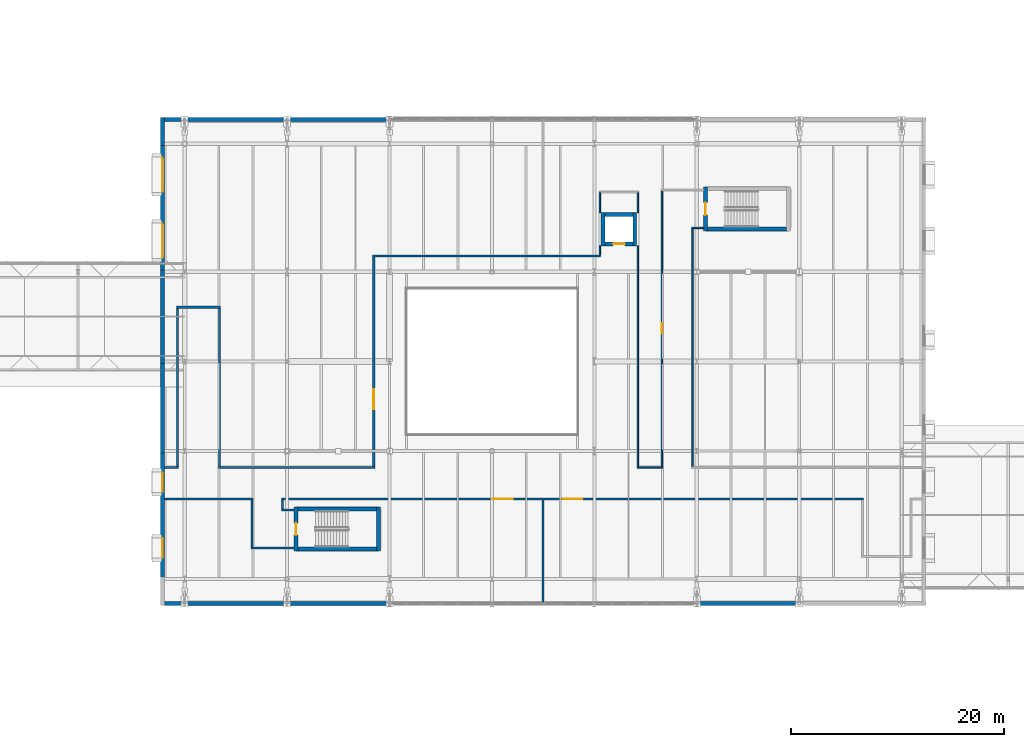
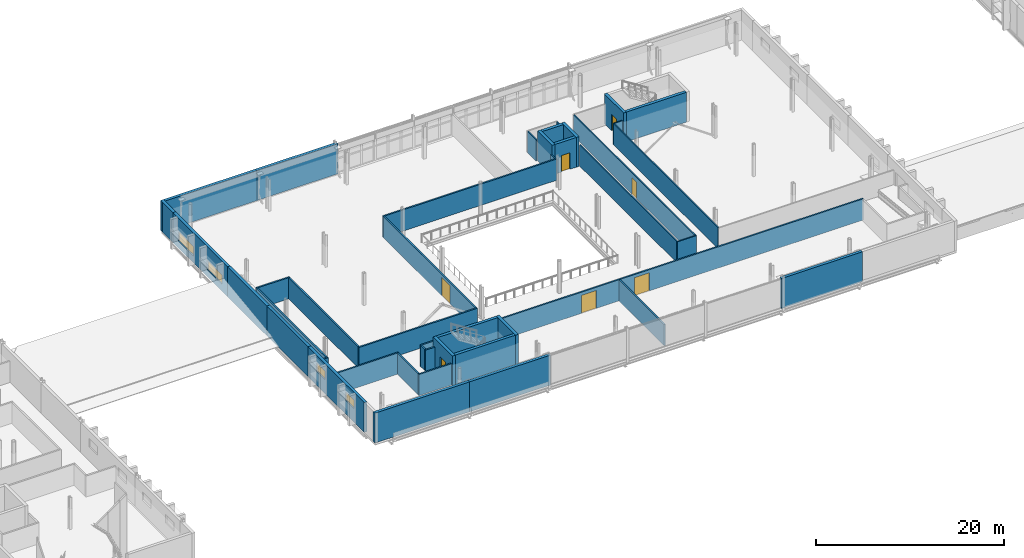
# One storey, part 63 of 90: 42 walls, 7 doors, 4 windows, 11 openings.
"""IFC4 building model written with IfcOpenShell, lengths in metres."""

from ifc_helpers import new_model, si_unit, direction, frame, frame_2d, origin, place, context, subcontext, project, spatial, rectangle, extrude, material, layer, layer_set, type_object, element, fill, save


model = new_model("IFC4")

# Units and contexts
model_context = context("Model", 3, precision=1e-05, world=origin(), true_north=direction((0.0, 1.0)))
body_context = subcontext(model_context, "Body", "Model", "MODEL_VIEW")
ifc_project = project(units=[si_unit("LENGTHUNIT", "METRE"), si_unit("AREAUNIT", "SQUARE_METRE"), si_unit("VOLUMEUNIT", "CUBIC_METRE"), si_unit("PLANEANGLEUNIT", "RADIAN"), si_unit("MASSUNIT", "GRAM", prefix="KILO")], contexts=[model_context])

# Site, building, storey
site_placement = place(None, origin())
site = spatial("IfcSite", under=ifc_project, at=site_placement, CompositionType="ELEMENT")
building_placement = place(site_placement, origin())
building = spatial("IfcBuilding", under=site, at=building_placement, Name="Zereglee Splitstone Museum", CompositionType="ELEMENT")
storey_placement = place(building_placement, frame((0.0, 0.0, 4.800048828125)))
storey = spatial("IfcBuildingStorey", under=building, at=storey_placement, Name="L01", CompositionType="ELEMENT", Elevation=4.800048828125)

# Wall, opening, door
ifc_material_1 = material(Name="Concrete C45/55", Category="concrete")
ifc_layer_1 = layer(ifc_material_1, 0.360107421875)
ifc_layer_set_1 = layer_set([ifc_layer_1], Name="Concrete C45/55")
wall_type_1 = type_object("IfcWallType", Name="CSW-02", PredefinedType="SHEAR", material=ifc_layer_set_1)
wall_1_placement = place(storey_placement, frame((126.820068359375, 42.239990234375, 0.0), z_axis=(0.0, 0.0, 1.0), x_axis=(0.0, 1.0, 0.0)))
wall_1 = element("IfcWall", 1, at=wall_1_placement, inside=storey, type_object=wall_type_1, Name="Stair Core Shear Wall ST-03 L01 West", PredefinedType="SHEAR", context=body_context, shape_type="SweptSolid", body=[
    extrude(rectangle(XDim=4.1201171875, YDim=0.360107421875, at=frame_2d((2.06005859375, 0.0))), origin(), (0.0, 0.0, 1.0), 3.8798828125),
])
opening_1_placement = place(wall_1_placement, frame((1.485107421875, 0.0, 0.0)))
opening_1 = element("IfcOpeningElement", 2, at=opening_1_placement, cuts=wall_1, Name="Opening ID-03", PredefinedType="OPENING", context=body_context, shape_type="SweptSolid", body=[
    extrude(rectangle(XDim=1.14990234375, YDim=2.14990234375, at=frame_2d((0.574951171875, 1.074951171875))), frame((0.0, 0.19482421875, 0.0), z_axis=(0.0, -1.0, 0.0), x_axis=(1.0, 0.0, 0.0)), (0.0, 0.0, 1.0), 0.389892578125),
])
ifc_material_2 = material(Name="Fire-rated steel and Siberian larch leaf", Category="steel")
door_type_1 = type_object("IfcDoorType", Name="ID-03", OperationType="NOTDEFINED", PredefinedType="DOOR", material=ifc_material_2)
door_1_placement = place(opening_1_placement, origin())
door_1 = element("IfcDoor", 3, at=door_1_placement, inside=storey, type_object=door_type_1, Name="Protected Stair Fire Door ST-03 L01", OperationType="SINGLE_SWING_LEFT", OverallHeight=2.14990234375, OverallWidth=1.14990234375, PredefinedType="DOOR", context=body_context, shape_type="SweptSolid", body=[
    extrude(rectangle(XDim=1.14990234375, YDim=2.14990234375, at=frame_2d((0.574951171875, 1.074951171875))), frame((0.0, 0.02490234375, 0.0), z_axis=(0.0, -1.0, 0.0), x_axis=(1.0, 0.0, 0.0)), (0.0, 0.0, 1.0), 0.050048828125),
])
fill(opening_1, door_1)

# Wall
wall_2_placement = place(storey_placement, frame((127.0, 42.419921875, 0.0), z_axis=(0.0, 0.0, 1.0), x_axis=(1.0, 0.0, 0.0)))
element("IfcWall", 4, at=wall_2_placement, inside=storey, type_object=wall_type_1, Name="Stair Core Shear Wall ST-03 L01 South", PredefinedType="SHEAR", context=body_context, shape_type="SweptSolid", body=[
    extrude(rectangle(XDim=7.39990234375, YDim=0.360107421875, at=frame_2d((3.699951171875, 0.0))), origin(), (0.0, 0.0, 1.0), 3.8798828125),
])

# Wall, opening, door
wall_3_placement = place(storey_placement, frame((88.419921875, 12.239990234375, 0.0), z_axis=(0.0, 0.0, 1.0), x_axis=(0.0, 1.0, 0.0)))
wall_3 = element("IfcWall", 5, at=wall_3_placement, inside=storey, type_object=wall_type_1, Name="Stair Core Shear Wall ST-06 L01 West", PredefinedType="SHEAR", context=body_context, shape_type="SweptSolid", body=[
    extrude(rectangle(XDim=4.1201171875, YDim=0.360107421875, at=frame_2d((2.06005859375, 0.0))), origin(), (0.0, 0.0, 1.0), 3.8798828125),
])
opening_2_placement = place(wall_3_placement, frame((1.485107421875, 0.0, 0.0)))
opening_2 = element("IfcOpeningElement", 6, at=opening_2_placement, cuts=wall_3, Name="Opening ID-03", PredefinedType="OPENING", context=body_context, shape_type="SweptSolid", body=[
    extrude(rectangle(XDim=1.14990234375, YDim=2.14990234375, at=frame_2d((0.574951171875, 1.074951171875))), frame((0.0, 0.19482421875, 0.0), z_axis=(0.0, -1.0, 0.0), x_axis=(1.0, 0.0, 0.0)), (0.0, 0.0, 1.0), 0.389892578125),
])
door_2_placement = place(opening_2_placement, origin())
door_2 = element("IfcDoor", 7, at=door_2_placement, inside=storey, type_object=door_type_1, Name="Protected Stair Fire Door ST-06 L01", OperationType="SINGLE_SWING_LEFT", OverallHeight=2.14990234375, OverallWidth=1.14990234375, PredefinedType="DOOR", context=body_context, shape_type="SweptSolid", body=[
    extrude(rectangle(XDim=1.14990234375, YDim=2.14990234375, at=frame_2d((0.574951171875, 1.074951171875))), frame((0.0, 0.02490234375, 0.0), z_axis=(0.0, -1.0, 0.0), x_axis=(1.0, 0.0, 0.0)), (0.0, 0.0, 1.0), 0.050048828125),
])
fill(opening_2, door_2)

# Walls
wall_4_placement = place(storey_placement, frame((96.179931640625, 12.239990234375, 0.0), z_axis=(0.0, 0.0, 1.0), x_axis=(0.0, 1.0, 0.0)))
element("IfcWall", 8, at=wall_4_placement, inside=storey, type_object=wall_type_1, Name="Stair Core Shear Wall ST-06 L01 East", PredefinedType="SHEAR", context=body_context, shape_type="SweptSolid", body=[
    extrude(rectangle(XDim=4.1201171875, YDim=0.360107421875, at=frame_2d((2.06005859375, 0.0))), origin(), (0.0, 0.0, 1.0), 3.8798828125),
])
for number, where, z_axis, x_axis, name in (
    (9, (88.60009765625, 16.179931640625, 0.0), (0.0, 0.0, 1.0), (1.0, 0.0, 0.0), "Stair Core Shear Wall ST-06 L01 North"),
    (10, (88.60009765625, 12.419921875, 0.0), (0.0, 0.0, 1.0), (1.0, 0.0, 0.0), "Stair Core Shear Wall ST-06 L01 South"),
):
    element("IfcWall", number, at=place(storey_placement, frame(where, z_axis=z_axis, x_axis=x_axis)), inside=storey, type_object=wall_type_1, Name=name, PredefinedType="SHEAR", context=body_context, shape_type="SweptSolid", body=[
        extrude(rectangle(XDim=7.39990234375, YDim=0.360107421875, at=frame_2d((3.699951171875, 0.0))), origin(), (0.0, 0.0, 1.0), 3.8798828125),
    ])
wall_5_placement = place(storey_placement, frame((117.39990234375, 43.780029296875, 0.0), z_axis=(0.0, 0.0, 1.0), x_axis=(1.0, 0.0, 0.0)))
element("IfcWall", 11, at=wall_5_placement, inside=storey, type_object=wall_type_1, Name="Lift Shaft Wall PL-02 L01 North", PredefinedType="SHEAR", context=body_context, shape_type="SweptSolid", body=[
    extrude(rectangle(XDim=2.60009765625, YDim=0.360107421875, at=frame_2d((1.300048828125, 0.0))), origin(), (0.0, 0.0, 1.0), 3.8798828125),
])

# Wall, opening, door
wall_6_placement = place(storey_placement, frame((117.39990234375, 41.02001953125, 0.0), z_axis=(0.0, 0.0, 1.0), x_axis=(1.0, 0.0, 0.0)))
wall_6 = element("IfcWall", 12, at=wall_6_placement, inside=storey, type_object=wall_type_1, Name="Lift Shaft Wall PL-02 L01 South", PredefinedType="SHEAR", context=body_context, shape_type="SweptSolid", body=[
    extrude(rectangle(XDim=2.60009765625, YDim=0.360107421875, at=frame_2d((1.300048828125, 0.0))), origin(), (0.0, 0.0, 1.0), 3.8798828125),
])
opening_3_placement = place(wall_6_placement, frame((0.75, 0.0, 0.0)))
opening_3 = element("IfcOpeningElement", 13, at=opening_3_placement, cuts=wall_6, Name="Opening LD-01", PredefinedType="OPENING", context=body_context, shape_type="SweptSolid", body=[
    extrude(rectangle(XDim=1.10009765625, YDim=2.14990234375, at=frame_2d((0.550048828125, 1.074951171875))), frame((0.0, 0.19482421875, 0.0), z_axis=(0.0, -1.0, 0.0), x_axis=(1.0, 0.0, 0.0)), (0.0, 0.0, 1.0), 0.389892578125),
])
door_type_2 = type_object("IfcDoorType", Name="LD-01", OperationType="DOUBLE_DOOR_SLIDING", PredefinedType="DOOR", material=ifc_material_2)
door_3_placement = place(opening_3_placement, origin())
door_3 = element("IfcDoor", 14, at=door_3_placement, inside=storey, type_object=door_type_2, Name="Lift Landing Sliding Door PL-02 L01", OperationType="DOUBLE_DOOR_SLIDING", OverallHeight=2.14990234375, OverallWidth=1.10009765625, PredefinedType="DOOR", context=body_context, shape_type="SweptSolid", body=[
    extrude(rectangle(XDim=1.10009765625, YDim=2.14990234375, at=frame_2d((0.550048828125, 1.074951171875))), frame((0.0, 0.02490234375, 0.0), z_axis=(0.0, -1.0, 0.0), x_axis=(1.0, 0.0, 0.0)), (0.0, 0.0, 1.0), 0.050048828125),
])
fill(opening_3, door_3)

# Walls
for number, where, z_axis, x_axis, name in (
    (15, (117.219970703125, 40.840087890625, 0.0), (0.0, 0.0, 1.0), (0.0, 1.0, 0.0), "Lift Shaft Wall PL-02 L01 West"),
    (16, (120.179931640625, 40.840087890625, 0.0), (0.0, 0.0, 1.0), (0.0, 1.0, 0.0), "Lift Shaft Wall PL-02 L01 East"),
):
    element("IfcWall", number, at=place(storey_placement, frame(where, z_axis=z_axis, x_axis=x_axis)), inside=storey, type_object=wall_type_1, Name=name, PredefinedType="SHEAR", context=body_context, shape_type="SweptSolid", body=[
        extrude(rectangle(XDim=3.119873046875, YDim=0.360107421875, at=frame_2d((1.56005859375, 0.0))), origin(), (0.0, 0.0, 1.0), 3.8798828125),
    ])
ifc_material_3 = material(Name="Precast concrete C40/50", Category="concrete")
ifc_layer_2 = layer(ifc_material_3, 0.35009765625)
ifc_layer_set_2 = layer_set([ifc_layer_2], Name="Precast concrete C40/50")
wall_type_2 = type_object("IfcWallType", Name="EW-01", PredefinedType="STANDARD", material=ifc_layer_set_2)
wall_7_placement = place(storey_placement, frame((97.3798828125, 52.679931640625, 0.0), z_axis=(0.0, 0.0, 1.0), x_axis=(-1.0, 0.0, 0.0)))
element("IfcWall", 17, at=wall_7_placement, inside=storey, type_object=wall_type_2, Name="Exterior Backup Wall RC4-EW-L01-0068", PredefinedType="STANDARD", context=body_context, shape_type="SweptSolid", body=[
    extrude(rectangle(XDim=9.9599609375, YDim=0.35009765625, at=frame_2d((4.97998046875, 0.0))), origin(), (0.0, 0.0, 1.0), 3.89990234375),
])
wall_8_placement = place(storey_placement, frame((87.780029296875, 52.679931640625, 0.0), z_axis=(0.0, 0.0, 1.0), x_axis=(-1.0, 0.0, 0.0)))
element("IfcWall", 18, at=wall_8_placement, inside=storey, type_object=wall_type_2, Name="Exterior Backup Wall RC4-EW-L01-0069", PredefinedType="STANDARD", context=body_context, shape_type="SweptSolid", body=[
    extrude(rectangle(XDim=12.0400390625, YDim=0.35009765625, at=frame_2d((6.02001953125, 0.0))), origin(), (0.0, 0.0, 1.0), 3.89990234375),
])
wall_9_placement = place(storey_placement, frame((75.919921875, 52.860107421875, 0.0), z_axis=(0.0, 0.0, 1.0), x_axis=(0.0, -1.0, 0.0)))
element("IfcWall", 19, at=wall_9_placement, inside=storey, type_object=wall_type_2, Name="Exterior Backup Wall RC4-EW-L01-0070", PredefinedType="STANDARD", context=body_context, shape_type="SweptSolid", body=[
    extrude(rectangle(XDim=2.64013671875, YDim=0.35009765625, at=frame_2d((1.320068359375, 0.0))), origin(), (0.0, 0.0, 1.0), 3.89990234375),
])

# Wall, openings, windows
wall_10_placement = place(storey_placement, frame((75.919921875, 50.580078125, 0.0), z_axis=(0.0, 0.0, 1.0), x_axis=(0.0, -1.0, 0.0)))
wall_10 = element("IfcWall", 20, at=wall_10_placement, inside=storey, type_object=wall_type_2, Name="Exterior Backup Wall RC4-EW-L01-0071", PredefinedType="STANDARD", context=body_context, shape_type="SweptSolid", body=[
    extrude(rectangle(XDim=12.360107421875, YDim=0.35009765625, at=frame_2d((6.18017578125, 0.0))), origin(), (0.0, 0.0, 1.0), 3.89990234375),
])
opening_4_placement = place(wall_10_placement, frame((1.489990234375, 0.0, 0.89990234375)))
opening_4 = element("IfcOpeningElement", 21, at=opening_4_placement, cuts=wall_10, Name="Opening EW-W15", PredefinedType="OPENING", context=body_context, shape_type="SweptSolid", body=[
    extrude(rectangle(XDim=3.199951171875, YDim=1.199951171875, at=frame_2d((1.60009765625, 0.60009765625))), frame((0.0, 0.18994140625, 0.0), z_axis=(0.0, -1.0, 0.0), x_axis=(1.0, 0.0, 0.0)), (0.0, 0.0, 1.0), 0.3798828125),
])
opening_5_placement = place(wall_10_placement, frame((7.669921875, 0.0, 0.89990234375)))
opening_5 = element("IfcOpeningElement", 22, at=opening_5_placement, cuts=wall_10, Name="Opening EW-W15", PredefinedType="OPENING", context=body_context, shape_type="SweptSolid", body=[
    extrude(rectangle(XDim=3.199951171875, YDim=1.199951171875, at=frame_2d((1.60009765625, 0.60009765625))), frame((0.0, 0.18994140625, 0.0), z_axis=(0.0, -1.0, 0.0), x_axis=(1.0, 0.0, 0.0)), (0.0, 0.0, 1.0), 0.3798828125),
])
ifc_material_4 = material(Name="Thermally broken aluminium frame with triple low-e glazing", Category="aluminium")
window_type_1 = type_object("IfcWindowType", Name="EW-W15", PartitioningType="TRIPLE_PANEL_VERTICAL", PredefinedType="WINDOW", material=ifc_material_4)
window_1_placement = place(opening_4_placement, origin())
window_1 = element("IfcWindow", 23, at=window_1_placement, inside=storey, type_object=window_type_1, Name="Mughal Deep-Reveal Gallery Window L01-0032", OverallHeight=1.199951171875, OverallWidth=3.199951171875, PartitioningType="SINGLE_PANEL", PredefinedType="WINDOW", context=body_context, shape_type="SweptSolid", body=[
    extrude(rectangle(XDim=3.199951171875, YDim=1.199951171875, at=frame_2d((1.60009765625, 0.60009765625))), frame((0.0, 0.030029296875, 0.0), z_axis=(0.0, -1.0, 0.0), x_axis=(1.0, 0.0, 0.0)), (0.0, 0.0, 1.0), 0.06005859375),
])
fill(opening_4, window_1)
window_2_placement = place(opening_5_placement, origin())
window_2 = element("IfcWindow", 24, at=window_2_placement, inside=storey, type_object=window_type_1, Name="Mughal Deep-Reveal Gallery Window L01-0033", OverallHeight=1.199951171875, OverallWidth=3.199951171875, PartitioningType="SINGLE_PANEL", PredefinedType="WINDOW", context=body_context, shape_type="SweptSolid", body=[
    extrude(rectangle(XDim=3.199951171875, YDim=1.199951171875, at=frame_2d((1.60009765625, 0.60009765625))), frame((0.0, 0.030029296875, 0.0), z_axis=(0.0, -1.0, 0.0), x_axis=(1.0, 0.0, 0.0)), (0.0, 0.0, 1.0), 0.06005859375),
])
fill(opening_5, window_2)

# Walls
for number, where, z_axis, x_axis, name in (
    (25, (75.919921875, 38.580078125, 0.0), (0.0, 0.0, 1.0), (0.0, -1.0, 0.0), "Exterior Backup Wall RC4-EW-L01-0072"),
    (26, (75.919921875, 30.179931640625, 0.0), (0.0, 0.0, 1.0), (0.0, -1.0, 0.0), "Exterior Backup Wall RC4-EW-L01-0073"),
):
    element("IfcWall", number, at=place(storey_placement, frame(where, z_axis=z_axis, x_axis=x_axis)), inside=storey, type_object=wall_type_2, Name=name, PredefinedType="STANDARD", context=body_context, shape_type="SweptSolid", body=[
        extrude(rectangle(XDim=8.760009765625, YDim=0.35009765625, at=frame_2d((4.3798828125, 0.0))), origin(), (0.0, 0.0, 1.0), 3.89990234375),
    ])

# Wall, openings, windows
wall_11_placement = place(storey_placement, frame((75.919921875, 21.780029296875, 0.0), z_axis=(0.0, 0.0, 1.0), x_axis=(0.0, -1.0, 0.0)))
wall_11 = element("IfcWall", 27, at=wall_11_placement, inside=storey, type_object=wall_type_2, Name="Exterior Backup Wall RC4-EW-L01-0074", PredefinedType="STANDARD", context=body_context, shape_type="SweptSolid", body=[
    extrude(rectangle(XDim=12.360107421875, YDim=0.35009765625, at=frame_2d((6.18017578125, 0.0))), origin(), (0.0, 0.0, 1.0), 3.89990234375),
])
opening_6_placement = place(wall_11_placement, frame((2.18994140625, 0.0, 1.800048828125)))
opening_6 = element("IfcOpeningElement", 28, at=opening_6_placement, cuts=wall_11, Name="Opening EW-W12", PredefinedType="OPENING", context=body_context, shape_type="SweptSolid", body=[
    extrude(rectangle(XDim=1.800048828125, YDim=1.10009765625, at=frame_2d((0.89990234375, 0.550048828125))), frame((0.0, 0.18994140625, 0.0), z_axis=(0.0, -1.0, 0.0), x_axis=(1.0, 0.0, 0.0)), (0.0, 0.0, 1.0), 0.3798828125),
])
opening_7_placement = place(wall_11_placement, frame((8.3701171875, 0.0, 1.800048828125)))
opening_7 = element("IfcOpeningElement", 29, at=opening_7_placement, cuts=wall_11, Name="Opening EW-W12", PredefinedType="OPENING", context=body_context, shape_type="SweptSolid", body=[
    extrude(rectangle(XDim=1.800048828125, YDim=1.10009765625, at=frame_2d((0.89990234375, 0.550048828125))), frame((0.0, 0.18994140625, 0.0), z_axis=(0.0, -1.0, 0.0), x_axis=(1.0, 0.0, 0.0)), (0.0, 0.0, 1.0), 0.3798828125),
])
window_type_2 = type_object("IfcWindowType", Name="EW-W12", PartitioningType="DOUBLE_PANEL_HORIZONTAL", PredefinedType="WINDOW", material=ifc_material_4)
window_3_placement = place(opening_6_placement, origin())
window_3 = element("IfcWindow", 30, at=window_3_placement, inside=storey, type_object=window_type_2, Name="Mughal Deep-Reveal Gallery Window L01-0034", OverallHeight=1.10009765625, OverallWidth=1.800048828125, PartitioningType="SINGLE_PANEL", PredefinedType="WINDOW", context=body_context, shape_type="SweptSolid", body=[
    extrude(rectangle(XDim=1.800048828125, YDim=1.10009765625, at=frame_2d((0.89990234375, 0.550048828125))), frame((0.0, 0.030029296875, 0.0), z_axis=(0.0, -1.0, 0.0), x_axis=(1.0, 0.0, 0.0)), (0.0, 0.0, 1.0), 0.06005859375),
])
fill(opening_6, window_3)
window_4_placement = place(opening_7_placement, origin())
window_4 = element("IfcWindow", 31, at=window_4_placement, inside=storey, type_object=window_type_2, Name="Mughal Deep-Reveal Gallery Window L01-0035", OverallHeight=1.10009765625, OverallWidth=1.800048828125, PartitioningType="SINGLE_PANEL", PredefinedType="WINDOW", context=body_context, shape_type="SweptSolid", body=[
    extrude(rectangle(XDim=1.800048828125, YDim=1.10009765625, at=frame_2d((0.89990234375, 0.550048828125))), frame((0.0, 0.030029296875, 0.0), z_axis=(0.0, -1.0, 0.0), x_axis=(1.0, 0.0, 0.0)), (0.0, 0.0, 1.0), 0.06005859375),
])
fill(opening_7, window_4)

# Walls
wall_12_placement = place(storey_placement, frame((75.739990234375, 7.320068359375, 0.0), z_axis=(0.0, 0.0, 1.0), x_axis=(1.0, 0.0, 0.0)))
element("IfcWall", 32, at=wall_12_placement, inside=storey, type_object=wall_type_2, Name="Exterior Backup Wall RC4-EW-L01-0076", PredefinedType="STANDARD", context=body_context, shape_type="SweptSolid", body=[
    extrude(rectangle(XDim=12.0400390625, YDim=0.35009765625, at=frame_2d((6.02001953125, 0.0))), origin(), (0.0, 0.0, 1.0), 3.89990234375),
])
for number, where, z_axis, x_axis, name in (
    (33, (87.419921875, 7.320068359375, 0.0), (0.0, 0.0, 1.0), (1.0, 0.0, 0.0), "Exterior Backup Wall RC4-EW-L01-0077"),
    (34, (125.820068359375, 7.320068359375, 0.0), (0.0, 0.0, 1.0), (1.0, 0.0, 0.0), "Exterior Backup Wall RC4-EW-L01-0078"),
):
    element("IfcWall", number, at=place(storey_placement, frame(where, z_axis=z_axis, x_axis=x_axis)), inside=storey, type_object=wall_type_2, Name=name, PredefinedType="STANDARD", context=body_context, shape_type="SweptSolid", body=[
        extrude(rectangle(XDim=9.9599609375, YDim=0.35009765625, at=frame_2d((4.97998046875, 0.0))), origin(), (0.0, 0.0, 1.0), 3.89990234375),
    ])
ifc_material_5 = material(Name="Fire-rated gypsum board partition", Category="masonry")
ifc_layer_3 = layer(ifc_material_5, 0.139892578125)
ifc_layer_set_3 = layer_set([ifc_layer_3], Name="Fire-rated gypsum board partition")
wall_type_3 = type_object("IfcWallType", Name="IW-05", PredefinedType="PARTITIONING", material=ifc_layer_set_3)
wall_13_placement = place(storey_placement, frame((120.409912109375, 20.080078125, 0.0), z_axis=(0.0, 0.0, 1.0), x_axis=(1.0, 0.0, 0.0)))
element("IfcWall", 35, at=wall_13_placement, inside=storey, type_object=wall_type_3, Name="Interior Partition L01-0354 (Research Reading Room)", PredefinedType="PARTITIONING", context=body_context, shape_type="SweptSolid", body=[
    extrude(rectangle(XDim=2.380126953125, YDim=0.139892578125, at=frame_2d((1.18994140625, 0.0))), origin(), (0.0, 0.0, 1.0), 2.760009765625),
])
wall_14_placement = place(storey_placement, frame((125.510009765625, 42.52001953125, 0.0), z_axis=(0.0, 0.0, 1.0), x_axis=(1.0, 0.0, 0.0)))
element("IfcWall", 36, at=wall_14_placement, inside=storey, type_object=wall_type_3, Name="Interior Partition L01-0382 (Research Reading Room)", PredefinedType="PARTITIONING", context=body_context, shape_type="SweptSolid", body=[
    extrude(rectangle(XDim=1.1298828125, YDim=0.139892578125, at=frame_2d((0.56494140625, 0.0))), origin(), (0.0, 0.0, 1.0), 2.760009765625),
])
wall_15_placement = place(storey_placement, frame((116.919921875, 39.97509765625, 0.0), z_axis=(0.0, 0.0, 1.0), x_axis=(0.0, 1.0, 0.0)))
element("IfcWall", 37, at=wall_15_placement, inside=storey, type_object=wall_type_3, Name="Interior Partition L01-0417 (Research Reading Room)", PredefinedType="PARTITIONING", context=body_context, shape_type="SweptSolid", body=[
    extrude(rectangle(XDim=0.864990234375, YDim=0.139892578125, at=frame_2d((0.4326171875, 0.0))), origin(), (0.0, 0.0, 1.0), 2.760009765625),
])
wall_16_placement = place(storey_placement, frame((116.919921875, 43.9599609375, 0.0), z_axis=(0.0, 0.0, 1.0), x_axis=(0.0, 1.0, 0.0)))
element("IfcWall", 38, at=wall_16_placement, inside=storey, type_object=wall_type_3, Name="Interior Partition L01-0418 (Research Reading Room)", PredefinedType="PARTITIONING", context=body_context, shape_type="SweptSolid", body=[
    extrude(rectangle(XDim=1.85009765625, YDim=0.139892578125, at=frame_2d((0.925048828125, 0.0))), origin(), (0.0, 0.0, 1.0), 2.760009765625),
])
wall_17_placement = place(storey_placement, frame((120.47998046875, 20.14990234375, 0.0), z_axis=(0.0, 0.0, 1.0), x_axis=(0.0, 1.0, 0.0)))
element("IfcWall", 39, at=wall_17_placement, inside=storey, type_object=wall_type_3, Name="Interior Partition L01-0419 (Research Reading Room)", PredefinedType="PARTITIONING", context=body_context, shape_type="SweptSolid", body=[
    extrude(rectangle(XDim=20.690185546875, YDim=0.139892578125, at=frame_2d((10.34521484375, 0.0))), origin(), (0.0, 0.0, 1.0), 2.760009765625),
])
wall_18_placement = place(storey_placement, frame((120.47998046875, 43.9599609375, 0.0), z_axis=(0.0, 0.0, 1.0), x_axis=(0.0, 1.0, 0.0)))
element("IfcWall", 40, at=wall_18_placement, inside=storey, type_object=wall_type_3, Name="Interior Partition L01-0420 (Research Reading Room)", PredefinedType="PARTITIONING", context=body_context, shape_type="SweptSolid", body=[
    extrude(rectangle(XDim=1.85009765625, YDim=0.139892578125, at=frame_2d((0.925048828125, 0.0))), origin(), (0.0, 0.0, 1.0), 2.760009765625),
])

# Wall, opening, door
wall_19_placement = place(storey_placement, frame((122.719970703125, 20.14990234375, 0.0), z_axis=(0.0, 0.0, 1.0), x_axis=(0.0, 1.0, 0.0)))
wall_19 = element("IfcWall", 41, at=wall_19_placement, inside=storey, type_object=wall_type_3, Name="Interior Partition L01-0421 (Research Reading Room)", PredefinedType="PARTITIONING", context=body_context, shape_type="SweptSolid", body=[
    extrude(rectangle(XDim=25.860107421875, YDim=0.139892578125, at=frame_2d((12.93017578125, 0.0))), origin(), (0.0, 0.0, 1.0), 2.760009765625),
])
opening_8_placement = place(wall_19_placement, frame((12.429931640625, 0.0, 0.0)))
opening_8 = element("IfcOpeningElement", 42, at=opening_8_placement, cuts=wall_19, Name="Opening ID-10", PredefinedType="OPENING", context=body_context, shape_type="SweptSolid", body=[
    extrude(rectangle(XDim=1.0, YDim=2.14990234375, at=frame_2d((0.5, 1.074951171875))), frame((0.0, 0.0849609375, 0.0), z_axis=(0.0, -1.0, 0.0), x_axis=(1.0, 0.0, 0.0)), (0.0, 0.0, 1.0), 0.169677734375),
])
ifc_material_6 = material(Name="Siberian larch acoustic timber leaf in bronze-steel frame", Category="steel")
door_type_3 = type_object("IfcDoorType", Name="ID-10", OperationType="NOTDEFINED", PredefinedType="DOOR", material=ifc_material_6)
door_4_placement = place(opening_8_placement, origin())
door_4 = element("IfcDoor", 43, at=door_4_placement, inside=storey, type_object=door_type_3, Name="Interior Door L01-0067 (Research Reading Room)", OperationType="SINGLE_SWING_RIGHT", OverallHeight=2.14990234375, OverallWidth=1.0, PredefinedType="DOOR", context=body_context, shape_type="SweptSolid", body=[
    extrude(rectangle(XDim=1.0, YDim=2.14990234375, at=frame_2d((0.5, 1.074951171875))), frame((0.0, 0.02490234375, 0.0), z_axis=(0.0, -1.0, 0.0), x_axis=(1.0, 0.0, 0.0)), (0.0, 0.0, 1.0), 0.050048828125),
])
fill(opening_8, door_4)

# Walls
wall_20_placement = place(storey_placement, frame((125.580078125, 20.14990234375, 0.0), z_axis=(0.0, 0.0, 1.0), x_axis=(0.0, 1.0, 0.0)))
element("IfcWall", 44, at=wall_20_placement, inside=storey, type_object=wall_type_3, Name="Interior Partition L01-0422 (Research Reading Room)", PredefinedType="PARTITIONING", context=body_context, shape_type="SweptSolid", body=[
    extrude(rectangle(XDim=22.300048828125, YDim=0.139892578125, at=frame_2d((11.14990234375, 0.0))), origin(), (0.0, 0.0, 1.0), 2.760009765625),
])
ifc_material_7 = material(Name="Gypsum board on acoustic steel stud", Category="steel")
ifc_layer_4 = layer(ifc_material_7, 0.18994140625)
ifc_layer_set_4 = layer_set([ifc_layer_4], Name="Gypsum board on acoustic steel stud")
wall_type_4 = type_object("IfcWallType", Name="IW-02", PredefinedType="PARTITIONING", material=ifc_layer_set_4)
wall_21_placement = place(storey_placement, frame((84.22509765625, 12.52001953125, 0.0), z_axis=(0.0, 0.0, 1.0), x_axis=(1.0, 0.0, 0.0)))
element("IfcWall", 45, at=wall_21_placement, inside=storey, type_object=wall_type_4, Name="Interior Partition L01-0335 (Gobi Mineralogy Gallery)", PredefinedType="PARTITIONING", context=body_context, shape_type="SweptSolid", body=[
    extrude(rectangle(XDim=4.014892578125, YDim=0.18994140625, at=frame_2d((2.00732421875, 0.0))), origin(), (0.0, 0.0, 1.0), 2.760009765625),
])
wall_22_placement = place(storey_placement, frame((87.0849609375, 16.080078125, 0.0), z_axis=(0.0, 0.0, 1.0), x_axis=(1.0, 0.0, 0.0)))
element("IfcWall", 46, at=wall_22_placement, inside=storey, type_object=wall_type_4, Name="Interior Partition L01-0341 (Gobi Mineralogy Gallery)", PredefinedType="PARTITIONING", context=body_context, shape_type="SweptSolid", body=[
    extrude(rectangle(XDim=1.155029296875, YDim=0.18994140625, at=frame_2d((0.57763671875, 0.0))), origin(), (0.0, 0.0, 1.0), 2.760009765625),
])
wall_23_placement = place(storey_placement, frame((76.094970703125, 17.1201171875, 0.0), z_axis=(0.0, 0.0, 1.0), x_axis=(1.0, 0.0, 0.0)))
element("IfcWall", 47, at=wall_23_placement, inside=storey, type_object=wall_type_4, Name="Interior Partition L01-0347 (Gobi Mineralogy Gallery)", PredefinedType="PARTITIONING", context=body_context, shape_type="SweptSolid", body=[
    extrude(rectangle(XDim=8.320068359375, YDim=0.18994140625, at=frame_2d((4.16015625, 0.0))), origin(), (0.0, 0.0, 1.0), 2.760009765625),
])

# Wall, openings, doors
wall_24_placement = place(storey_placement, frame((87.0849609375, 17.1201171875, 0.0), z_axis=(0.0, 0.0, 1.0), x_axis=(1.0, 0.0, 0.0)))
wall_24 = element("IfcWall", 48, at=wall_24_placement, inside=storey, type_object=wall_type_4, Name="Interior Partition L01-0348 (Gobi Mineralogy Gallery)", PredefinedType="PARTITIONING", context=body_context, shape_type="SweptSolid", body=[
    extrude(rectangle(XDim=54.530029296875, YDim=0.18994140625, at=frame_2d((27.26513671875, 0.0))), origin(), (0.0, 0.0, 1.0), 2.760009765625),
])
opening_9_placement = place(wall_24_placement, frame((19.79638671875, 0.0, 0.0)))
opening_9 = element("IfcOpeningElement", 49, at=opening_9_placement, cuts=wall_24, Name="Opening ID-02", PredefinedType="OPENING", context=body_context, shape_type="SweptSolid", body=[
    extrude(rectangle(XDim=1.85009765625, YDim=2.35009765625, at=frame_2d((0.925048828125, 1.175048828125))), frame((0.0, 0.10986328125, 0.0), z_axis=(0.0, -1.0, 0.0), x_axis=(1.0, 0.0, 0.0)), (0.0, 0.0, 1.0), 0.2197265625),
])
opening_10_placement = place(wall_24_placement, frame((26.340087890625, 0.0, 0.0)))
opening_10 = element("IfcOpeningElement", 50, at=opening_10_placement, cuts=wall_24, Name="Opening ID-02", PredefinedType="OPENING", context=body_context, shape_type="SweptSolid", body=[
    extrude(rectangle(XDim=1.85009765625, YDim=2.35009765625, at=frame_2d((0.925048828125, 1.175048828125))), frame((0.0, 0.10986328125, 0.0), z_axis=(0.0, -1.0, 0.0), x_axis=(1.0, 0.0, 0.0)), (0.0, 0.0, 1.0), 0.2197265625),
])
door_type_4 = type_object("IfcDoorType", Name="ID-02", OperationType="NOTDEFINED", PredefinedType="DOOR", material=ifc_material_2)
door_5_placement = place(opening_9_placement, frame((1.85009765625, 0.0, 0.0), z_axis=(0.0, 0.0, 1.0), x_axis=(-1.0, 0.0, 0.0)))
door_5 = element("IfcDoor", 51, at=door_5_placement, inside=storey, type_object=door_type_4, Name="Interior Door L01-0064 (Gobi Mineralogy Gallery)", OperationType="DOUBLE_DOOR_SINGLE_SWING", OverallHeight=2.35009765625, OverallWidth=1.85009765625, PredefinedType="DOOR", context=body_context, shape_type="SweptSolid", body=[
    extrude(rectangle(XDim=1.85009765625, YDim=2.35009765625, at=frame_2d((0.925048828125, 1.175048828125))), frame((0.0, 0.02490234375, 0.0), z_axis=(0.0, -1.0, 0.0), x_axis=(1.0, 0.0, 0.0)), (0.0, 0.0, 1.0), 0.050048828125),
])
fill(opening_9, door_5)
door_6_placement = place(opening_10_placement, frame((1.85009765625, 0.0, 0.0), z_axis=(0.0, 0.0, 1.0), x_axis=(-1.0, 0.0, 0.0)))
door_6 = element("IfcDoor", 52, at=door_6_placement, inside=storey, type_object=door_type_4, Name="Interior Door L01-0065 (Crystal and Gemology Exhibition Room)", OperationType="DOUBLE_DOOR_SINGLE_SWING", OverallHeight=2.35009765625, OverallWidth=1.85009765625, PredefinedType="DOOR", context=body_context, shape_type="SweptSolid", body=[
    extrude(rectangle(XDim=1.85009765625, YDim=2.35009765625, at=frame_2d((0.925048828125, 1.175048828125))), frame((0.0, 0.02490234375, 0.0), z_axis=(0.0, -1.0, 0.0), x_axis=(1.0, 0.0, 0.0)), (0.0, 0.0, 1.0), 0.050048828125),
])
fill(opening_10, door_6)

# Walls
wall_25_placement = place(storey_placement, frame((76.094970703125, 20.080078125, 0.0), z_axis=(0.0, 0.0, 1.0), x_axis=(1.0, 0.0, 0.0)))
element("IfcWall", 53, at=wall_25_placement, inside=storey, type_object=wall_type_4, Name="Interior Partition L01-0352 (Temporary Exhibition Gallery)", PredefinedType="PARTITIONING", context=body_context, shape_type="SweptSolid", body=[
    extrude(rectangle(XDim=1.320068359375, YDim=0.18994140625, at=frame_2d((0.66015625, 0.0))), origin(), (0.0, 0.0, 1.0), 2.760009765625),
])
wall_26_placement = place(storey_placement, frame((81.18505859375, 20.080078125, 0.0), z_axis=(0.0, 0.0, 1.0), x_axis=(1.0, 0.0, 0.0)))
element("IfcWall", 54, at=wall_26_placement, inside=storey, type_object=wall_type_4, Name="Interior Partition L01-0353 (Temporary Exhibition Gallery)", PredefinedType="PARTITIONING", context=body_context, shape_type="SweptSolid", body=[
    extrude(rectangle(XDim=14.6298828125, YDim=0.18994140625, at=frame_2d((7.31494140625, 0.0))), origin(), (0.0, 0.0, 1.0), 2.760009765625),
])
wall_27_placement = place(storey_placement, frame((77.22509765625, 35.080078125, 0.0), z_axis=(0.0, 0.0, 1.0), x_axis=(1.0, 0.0, 0.0)))
element("IfcWall", 55, at=wall_27_placement, inside=storey, type_object=wall_type_4, Name="Interior Partition L01-0375 (Temporary Exhibition Gallery)", PredefinedType="PARTITIONING", context=body_context, shape_type="SweptSolid", body=[
    extrude(rectangle(XDim=4.14990234375, YDim=0.18994140625, at=frame_2d((2.074951171875, 0.0))), origin(), (0.0, 0.0, 1.0), 2.760009765625),
])
wall_28_placement = place(storey_placement, frame((95.625, 39.8798828125, 0.0), z_axis=(0.0, 0.0, 1.0), x_axis=(1.0, 0.0, 0.0)))
element("IfcWall", 56, at=wall_28_placement, inside=storey, type_object=wall_type_4, Name="Interior Partition L01-0379 (Temporary Exhibition Gallery)", PredefinedType="PARTITIONING", context=body_context, shape_type="SweptSolid", body=[
    extrude(rectangle(XDim=21.364990234375, YDim=0.18994140625, at=frame_2d((10.6826171875, 0.0))), origin(), (0.0, 0.0, 1.0), 2.760009765625),
])
for number, where, z_axis, x_axis, name in (
    (57, (77.320068359375, 20.175048828125, 0.0), (0.0, 0.0, 1.0), (0.0, 1.0, 0.0), "Interior Partition L01-0410 (Temporary Exhibition Gallery)"),
    (58, (81.280029296875, 20.175048828125, 0.0), (0.0, 0.0, 1.0), (0.0, 1.0, 0.0), "Interior Partition L01-0411 (Temporary Exhibition Gallery)"),
):
    element("IfcWall", number, at=place(storey_placement, frame(where, z_axis=z_axis, x_axis=x_axis)), inside=storey, type_object=wall_type_4, Name=name, PredefinedType="PARTITIONING", context=body_context, shape_type="SweptSolid", body=[
        extrude(rectangle(XDim=14.81005859375, YDim=0.18994140625, at=frame_2d((7.405029296875, 0.0))), origin(), (0.0, 0.0, 1.0), 2.760009765625),
    ])
wall_29_placement = place(storey_placement, frame((84.320068359375, 12.614990234375, 0.0), z_axis=(0.0, 0.0, 1.0), x_axis=(0.0, 1.0, 0.0)))
element("IfcWall", 59, at=wall_29_placement, inside=storey, type_object=wall_type_4, Name="Interior Partition L01-0412 (Gobi Mineralogy Gallery)", PredefinedType="PARTITIONING", context=body_context, shape_type="SweptSolid", body=[
    extrude(rectangle(XDim=4.409912109375, YDim=0.18994140625, at=frame_2d((2.205078125, 0.0))), origin(), (0.0, 0.0, 1.0), 2.760009765625),
])
wall_30_placement = place(storey_placement, frame((87.179931640625, 16.175048828125, 0.0), z_axis=(0.0, 0.0, 1.0), x_axis=(0.0, 1.0, 0.0)))
element("IfcWall", 60, at=wall_30_placement, inside=storey, type_object=wall_type_4, Name="Interior Partition L01-0413 (Gobi Mineralogy Gallery)", PredefinedType="PARTITIONING", context=body_context, shape_type="SweptSolid", body=[
    extrude(rectangle(XDim=0.849853515625, YDim=0.18994140625, at=frame_2d((0.4248046875, 0.0))), origin(), (0.0, 0.0, 1.0), 2.760009765625),
])

# Wall, opening, door
wall_31_placement = place(storey_placement, frame((95.719970703125, 20.175048828125, 0.0), z_axis=(0.0, 0.0, 1.0), x_axis=(0.0, 1.0, 0.0)))
wall_31 = element("IfcWall", 61, at=wall_31_placement, inside=storey, type_object=wall_type_4, Name="Interior Partition L01-0414 (Temporary Exhibition Gallery)", PredefinedType="PARTITIONING", context=body_context, shape_type="SweptSolid", body=[
    extrude(rectangle(XDim=19.60986328125, YDim=0.18994140625, at=frame_2d((9.804931640625, 0.0))), origin(), (0.0, 0.0, 1.0), 2.760009765625),
])
opening_11_placement = place(wall_31_placement, frame((5.35009765625, 0.0, 0.0)))
opening_11 = element("IfcOpeningElement", 62, at=opening_11_placement, cuts=wall_31, Name="Opening ID-02", PredefinedType="OPENING", context=body_context, shape_type="SweptSolid", body=[
    extrude(rectangle(XDim=1.85009765625, YDim=2.35009765625, at=frame_2d((0.925048828125, 1.175048828125))), frame((0.0, 0.10986328125, 0.0), z_axis=(0.0, -1.0, 0.0), x_axis=(1.0, 0.0, 0.0)), (0.0, 0.0, 1.0), 0.2197265625),
])
door_7_placement = place(opening_11_placement, origin())
door_7 = element("IfcDoor", 63, at=door_7_placement, inside=storey, type_object=door_type_4, Name="Interior Door L01-0066 (Temporary Exhibition Gallery)", OperationType="DOUBLE_DOOR_SINGLE_SWING", OverallHeight=2.35009765625, OverallWidth=1.85009765625, PredefinedType="DOOR", context=body_context, shape_type="SweptSolid", body=[
    extrude(rectangle(XDim=1.85009765625, YDim=2.35009765625, at=frame_2d((0.925048828125, 1.175048828125))), frame((0.0, 0.02490234375, 0.0), z_axis=(0.0, -1.0, 0.0), x_axis=(1.0, 0.0, 0.0)), (0.0, 0.0, 1.0), 0.050048828125),
])
fill(opening_11, door_7)

# Wall
wall_32_placement = place(storey_placement, frame((111.60009765625, 7.409912109375, 0.0), z_axis=(0.0, 0.0, 1.0), x_axis=(0.0, 1.0, 0.0)))
element("IfcWall", 64, at=wall_32_placement, inside=storey, type_object=wall_type_4, Name="Interior Partition L01-0415 (Gobi Mineralogy Gallery)", PredefinedType="PARTITIONING", context=body_context, shape_type="SweptSolid", body=[
    extrude(rectangle(XDim=9.614990234375, YDim=0.18994140625, at=frame_2d((4.8076171875, 0.0))), origin(), (0.0, 0.0, 1.0), 2.760009765625),
])

save(model, "model.ifc")
